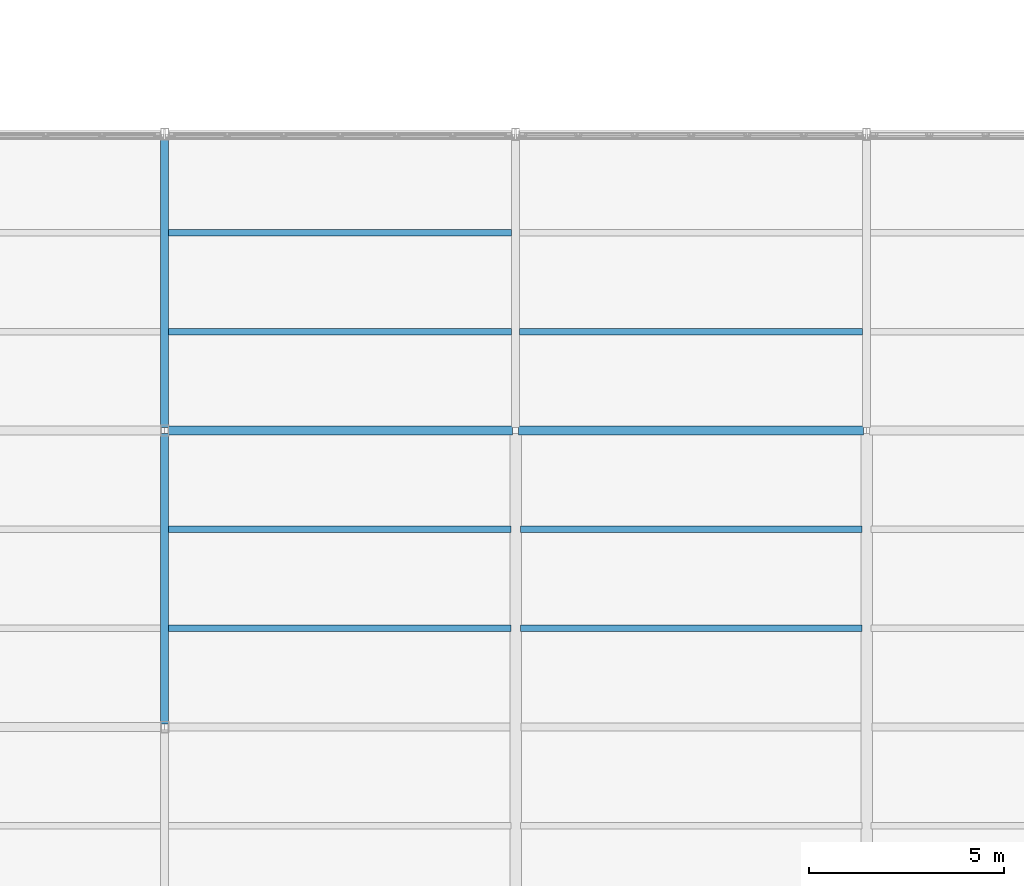
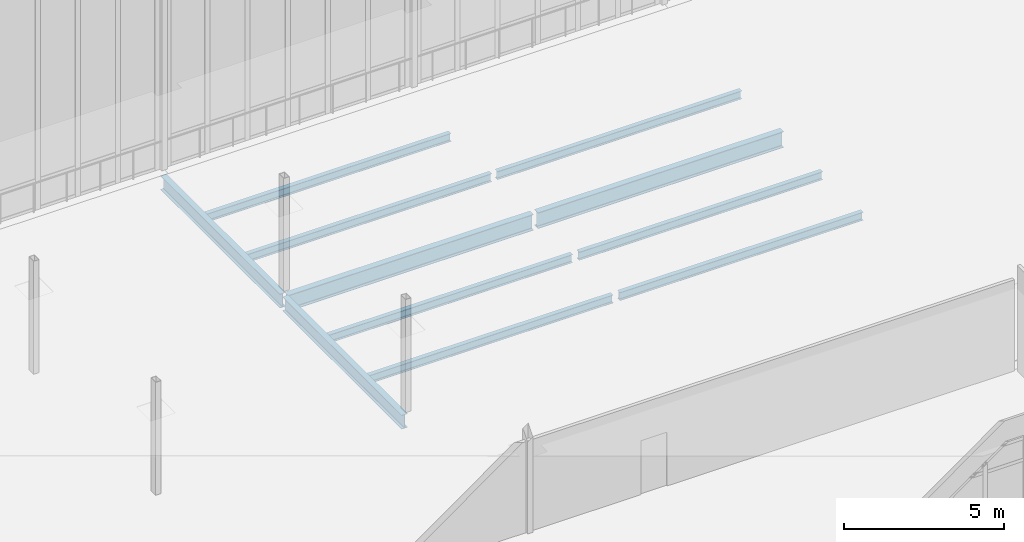
# One storey, part 46 of 166: 11 beams.
"""IFC4 building model written with IfcOpenShell, lengths in metres."""

from ifc_helpers import new_model, si_unit, direction, frame, origin, origin_2d, place, context, subcontext, project, spatial, i_section, extrude, material, material_profile, profile_set, type_object, element, save


model = new_model("IFC4")

# Units and contexts
model_context = context("Model", 3, precision=1e-05, world=origin(), true_north=direction((0.0, 1.0)))
body_context = subcontext(model_context, "Body", "Model", "MODEL_VIEW")
ifc_project = project(units=[si_unit("LENGTHUNIT", "METRE"), si_unit("AREAUNIT", "SQUARE_METRE"), si_unit("VOLUMEUNIT", "CUBIC_METRE"), si_unit("PLANEANGLEUNIT", "RADIAN"), si_unit("MASSUNIT", "GRAM", prefix="KILO")], contexts=[model_context])

# Site, building, storey
site_placement = place(None, origin())
site = spatial("IfcSite", under=ifc_project, at=site_placement, CompositionType="ELEMENT")
building_placement = place(site_placement, origin())
building = spatial("IfcBuilding", under=site, at=building_placement, Name="Caisbarro Railhouse Central Library", CompositionType="ELEMENT")
storey_placement = place(building_placement, frame((0.0, 0.0, 9.360107421875)))
storey = spatial("IfcBuildingStorey", under=building, at=storey_placement, Name="L02", CompositionType="ELEMENT", Elevation=9.360107421875)

# Beams
ifc_material = material(Name="Steel ASTM A572 Grade 50", Category="steel")
ifc_material_profile_1 = material_profile(ifc_material, i_section(OverallWidth=0.22802734375, OverallDepth=0.60791015625, WebThickness=0.01123046875, FlangeThickness=0.017333984375, FilletRadius=0.02197265625, at=origin_2d()), Name="W610X113.0")
ifc_profile_set_1 = profile_set([ifc_material_profile_1], Name="Steel ASTM A572 Grade 50")
beam_type_1 = type_object("IfcBeamType", Name="BM-G04", PredefinedType="BEAM", material=ifc_profile_set_1)
for number, where, z_axis, x_axis, name in (
    (1, (18.080078125, 53.199951171875, -0.524169921875), (1.0, 0.0, 0.0), (0.0, 1.0, 0.0), "G04 beam L02 #1374"),
    (2, (27.080078125, 53.199951171875, -0.524169921875), (1.0, 0.0, 0.0), (0.0, 1.0, 0.0), "G04 beam L02 #1375"),
):
    element("IfcBeam", number, at=place(storey_placement, frame(where, z_axis=z_axis, x_axis=x_axis)), inside=storey, type_object=beam_type_1, Name=name, PredefinedType="BEAM", context=body_context, shape_type="SweptSolid", body=[
        extrude(i_section(OverallWidth=0.22802734375, OverallDepth=0.60791015625, WebThickness=0.01123046875, FlangeThickness=0.017333984375, FilletRadius=0.02197265625, at=origin_2d()), origin(), (0.0, 0.0, 1.0), 8.83984375),
    ])
ifc_material_profile_2 = material_profile(ifc_material, i_section(OverallWidth=0.208984375, OverallDepth=0.532958984375, WebThickness=0.01025390625, FlangeThickness=0.015625, FilletRadius=0.02001953125, at=origin_2d()), Name="W530X92.0")
ifc_profile_set_2 = profile_set([ifc_material_profile_2], Name="Steel ASTM A572 Grade 50")
beam_type_2 = type_object("IfcBeamType", Name="BM-G06", PredefinedType="BEAM", material=ifc_profile_set_2)
beam_1_placement = place(storey_placement, frame((18.0, 45.679931640625, -0.486572265625), z_axis=(0.0, 1.0, 0.0), x_axis=(-1.0, 0.0, 0.0)))
element("IfcBeam", 3, at=beam_1_placement, inside=storey, type_object=beam_type_2, Name="G06 beam L02 #1398", PredefinedType="BEAM", context=body_context, shape_type="SweptSolid", body=[
    extrude(i_section(OverallWidth=0.208984375, OverallDepth=0.532958984375, WebThickness=0.01025390625, FlangeThickness=0.015625, FilletRadius=0.02001953125, at=origin_2d()), origin(), (0.0, 0.0, 1.0), 7.440185546875),
])
beam_2_placement = place(storey_placement, frame((18.0, 53.280029296875, -0.486572265625), z_axis=(0.0, 1.0, 0.0), x_axis=(-1.0, 0.0, 0.0)))
element("IfcBeam", 4, at=beam_2_placement, inside=storey, type_object=beam_type_2, Name="G06 beam L02 #1399", PredefinedType="BEAM", context=body_context, shape_type="SweptSolid", body=[
    extrude(i_section(OverallWidth=0.208984375, OverallDepth=0.532958984375, WebThickness=0.01025390625, FlangeThickness=0.015625, FilletRadius=0.02001953125, at=origin_2d()), origin(), (0.0, 0.0, 1.0), 7.43994140625),
])
ifc_material_profile_3 = material_profile(ifc_material, i_section(OverallWidth=0.1650390625, OverallDepth=0.31005859375, WebThickness=0.005859375, FlangeThickness=0.009765625, FilletRadius=0.011962890625, at=origin_2d()), Name="W310X38.7")
ifc_profile_set_3 = profile_set([ifc_material_profile_3], Name="Steel ASTM A572 Grade 50")
beam_type_3 = type_object("IfcBeamType", Name="BM-J03", PredefinedType="JOIST", material=ifc_profile_set_3)
for number, where, z_axis, x_axis, name in (
    (5, (18.1044921875, 48.13330078125, -0.375), (1.0, 0.0, 0.0), (0.0, 1.0, 0.0), "J03 beam L02 #1438"),
    (6, (18.1044921875, 50.666748046875, -0.375), (1.0, 0.0, 0.0), (0.0, 1.0, 0.0), "J03 beam L02 #1439"),
):
    element("IfcBeam", number, at=place(storey_placement, frame(where, z_axis=z_axis, x_axis=x_axis)), inside=storey, type_object=beam_type_3, Name=name, PredefinedType="JOIST", context=body_context, shape_type="SweptSolid", body=[
        extrude(i_section(OverallWidth=0.1650390625, OverallDepth=0.31005859375, WebThickness=0.005859375, FlangeThickness=0.009765625, FilletRadius=0.011962890625, at=origin_2d()), origin(), (0.0, 0.0, 1.0), 8.775390625),
    ])
for number, where, z_axis, x_axis, name in (
    (7, (18.1044921875, 55.7333984375, -0.375), (1.0, 0.0, 0.0), (0.0, 1.0, 0.0), "J03 beam L02 #1440"),
    (8, (18.1044921875, 58.2666015625, -0.375), (1.0, 0.0, 0.0), (0.0, 1.0, 0.0), "J03 beam L02 #1441"),
):
    element("IfcBeam", number, at=place(storey_placement, frame(where, z_axis=z_axis, x_axis=x_axis)), inside=storey, type_object=beam_type_3, Name=name, PredefinedType="JOIST", context=body_context, shape_type="SweptSolid", body=[
        extrude(i_section(OverallWidth=0.1650390625, OverallDepth=0.31005859375, WebThickness=0.005859375, FlangeThickness=0.009765625, FilletRadius=0.011962890625, at=origin_2d()), origin(), (0.0, 0.0, 1.0), 8.791015625),
    ])
for number, where, z_axis, x_axis, name in (
    (9, (27.1201171875, 48.13330078125, -0.375), (1.0, 0.0, 0.0), (0.0, 1.0, 0.0), "J03 beam L02 #1446"),
    (10, (27.1201171875, 50.666748046875, -0.375), (1.0, 0.0, 0.0), (0.0, 1.0, 0.0), "J03 beam L02 #1447"),
):
    element("IfcBeam", number, at=place(storey_placement, frame(where, z_axis=z_axis, x_axis=x_axis)), inside=storey, type_object=beam_type_3, Name=name, PredefinedType="JOIST", context=body_context, shape_type="SweptSolid", body=[
        extrude(i_section(OverallWidth=0.1650390625, OverallDepth=0.31005859375, WebThickness=0.005859375, FlangeThickness=0.009765625, FilletRadius=0.011962890625, at=origin_2d()), origin(), (0.0, 0.0, 1.0), 8.759765625),
    ])
beam_3_placement = place(storey_placement, frame((27.1044921875, 55.7333984375, -0.375), z_axis=(1.0, 0.0, 0.0), x_axis=(0.0, 1.0, 0.0)))
element("IfcBeam", 11, at=beam_3_placement, inside=storey, type_object=beam_type_3, Name="J03 beam L02 #1448", PredefinedType="JOIST", context=body_context, shape_type="SweptSolid", body=[
    extrude(i_section(OverallWidth=0.1650390625, OverallDepth=0.31005859375, WebThickness=0.005859375, FlangeThickness=0.009765625, FilletRadius=0.011962890625, at=origin_2d()), origin(), (0.0, 0.0, 1.0), 8.791015625),
])

save(model, "model.ifc")
